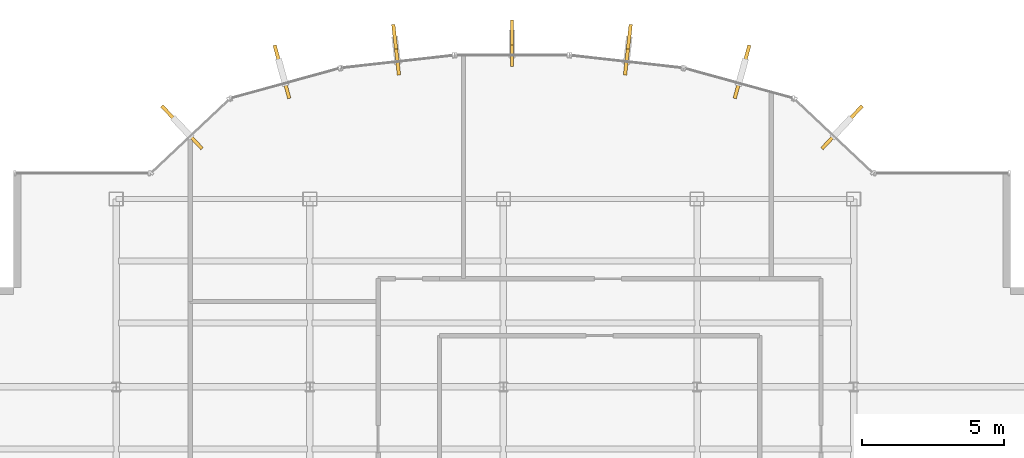
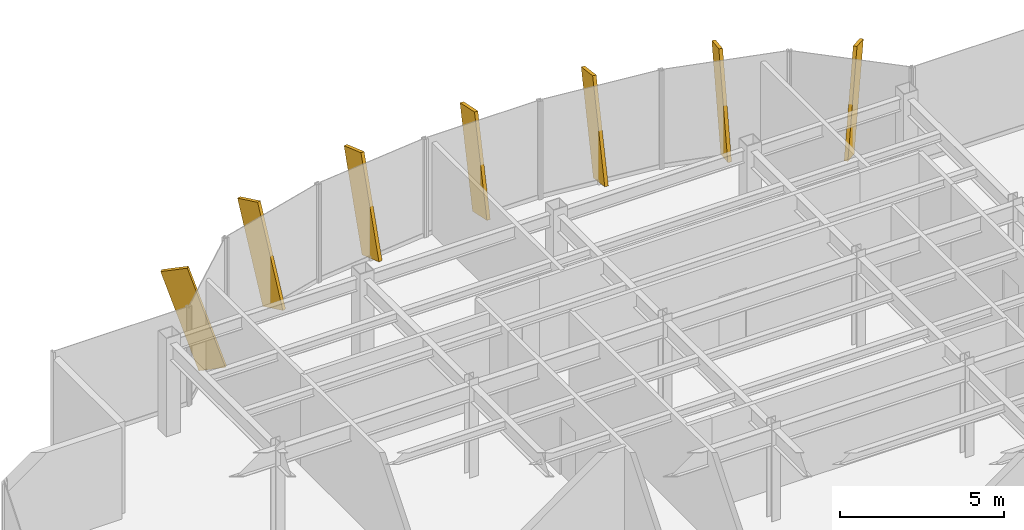
# One storey, part 21 of 22: 7 shading devices.
"""IFC4 building model written with IfcOpenShell, lengths in metres."""

from ifc_helpers import new_model, si_unit, derived_unit, direction, frame, origin, origin_2d, place, context, subcontext, project, spatial, rectangle, extrude, source, transform, mapped, material, type_object, element, save


model = new_model("IFC4")

# Units and contexts
model_context = context("Model", 3, precision=1e-05, world=origin(), true_north=direction((0.0, 1.0)))
body_context = subcontext(model_context, "Body", "Model", "MODEL_VIEW")
ifc_project = project(units=[si_unit("LENGTHUNIT", "METRE"), si_unit("AREAUNIT", "SQUARE_METRE"), si_unit("VOLUMEUNIT", "CUBIC_METRE"), si_unit("PLANEANGLEUNIT", "RADIAN"), si_unit("MASSUNIT", "GRAM", prefix="KILO"), derived_unit("THERMALTRANSMITTANCEUNIT", [(si_unit("POWERUNIT", "WATT"), 1), (si_unit("LENGTHUNIT", "METRE"), -2), (si_unit("THERMODYNAMICTEMPERATUREUNIT", "KELVIN"), -1)])], contexts=[model_context])

# Site, building, storey
site_placement = place(None, origin())
site = spatial("IfcSite", under=ifc_project, at=site_placement, CompositionType="ELEMENT")
building_placement = place(site_placement, origin())
building = spatial("IfcBuilding", under=site, at=building_placement, Name="Skarnbrae Concourse Arena and Tower", CompositionType="ELEMENT")
storey_placement = place(building_placement, frame((0.0, 0.0, 247.85009765625)))
storey = spatial("IfcBuildingStorey", under=building, at=storey_placement, Name="L64", CompositionType="ELEMENT", Elevation=247.85009765625)

# Shading devices
ifc_material = material(Name="Bronze anodised aluminium 6063-T6", Category="aluminium")
shading_device_type = type_object("IfcShadingDeviceType", Name="SHD-BRONZE-FIN-900", PredefinedType="USERDEFINED", material=ifc_material)
shared_shape = source(origin(), body_context, "Body", "SweptSolid", [
    extrude(rectangle(XDim=0.1201171875, YDim=0.89990234375, at=origin_2d()), origin(), (0.0, 0.0, 1.0), 3.64990234375),
])
for number, where, z_axis, x_axis, name in (
    (1, (32.677978515625, 36.478759765625, 0.103271484375), (0.227224184045, 0.241377537722, 0.943454320287), (0.728131751529, -0.685437198009, 0.0), "L64 Outward-leaning bronze shading fin 08"),
    (2, (29.43603515625, 38.3466796875, 0.08154296875), (0.07852258794, 0.284919065414, 0.955329958363), (0.964058316208, -0.265690728011, 0.0), "L64 Outward-leaning bronze shading fin 09"),
    (3, (25.51708984375, 39.181640625, 0.05908203125), (0.028131176169, 0.250834606441, 0.967621122723), (0.993769864509, -0.111451587667, 0.0), "L64 Outward-leaning bronze shading fin 10"),
    (4, (21.5, 39.4873046875, 0.039794921875), (0.0, 0.207911690818, 0.978147600734), (1.0, 0.0, 0.0), "L64 Outward-leaning bronze shading fin 11"),
    (5, (17.48291015625, 39.181640625, 0.05908203125), (-0.028131176169, 0.250834606441, 0.967621122723), (0.993769864509, 0.111451587667, 0.0), "L64 Outward-leaning bronze shading fin 12"),
    (6, (13.56396484375, 38.3466796875, 0.08154296875), (-0.07852258794, 0.284919065414, 0.955329958363), (0.964058316208, 0.265690728011, 0.0), "L64 Outward-leaning bronze shading fin 13"),
    (7, (10.322021484375, 36.478759765625, 0.103271484375), (-0.227224184045, 0.241377537722, 0.943454320287), (0.728131751529, 0.685437198009, 0.0), "L64 Outward-leaning bronze shading fin 14"),
):
    element("IfcShadingDevice", number, at=place(storey_placement, frame(where, z_axis=z_axis, x_axis=x_axis)), inside=storey, type_object=shading_device_type, Name=name, ObjectType="FIN", PredefinedType="USERDEFINED", context=body_context, shape_type="MappedRepresentation", body=[
        mapped(shared_shape, transform((0.0, 0.0, 0.0))),
    ])

save(model, "model.ifc")
